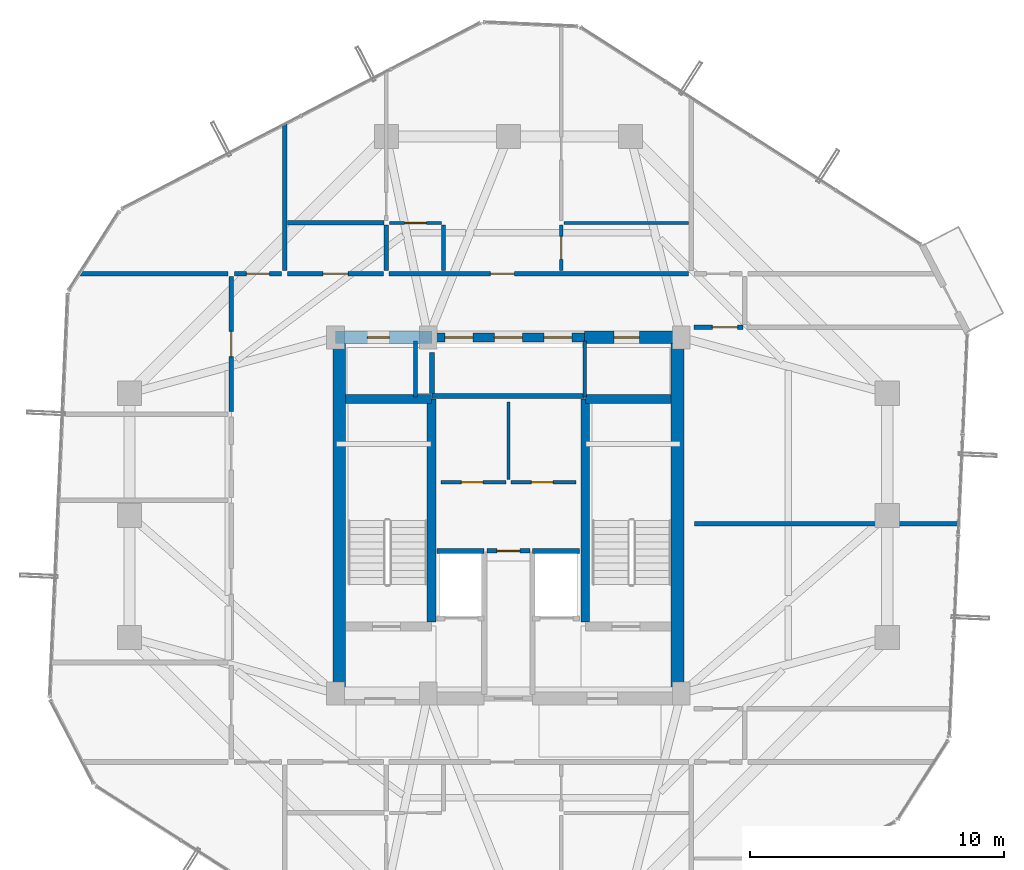
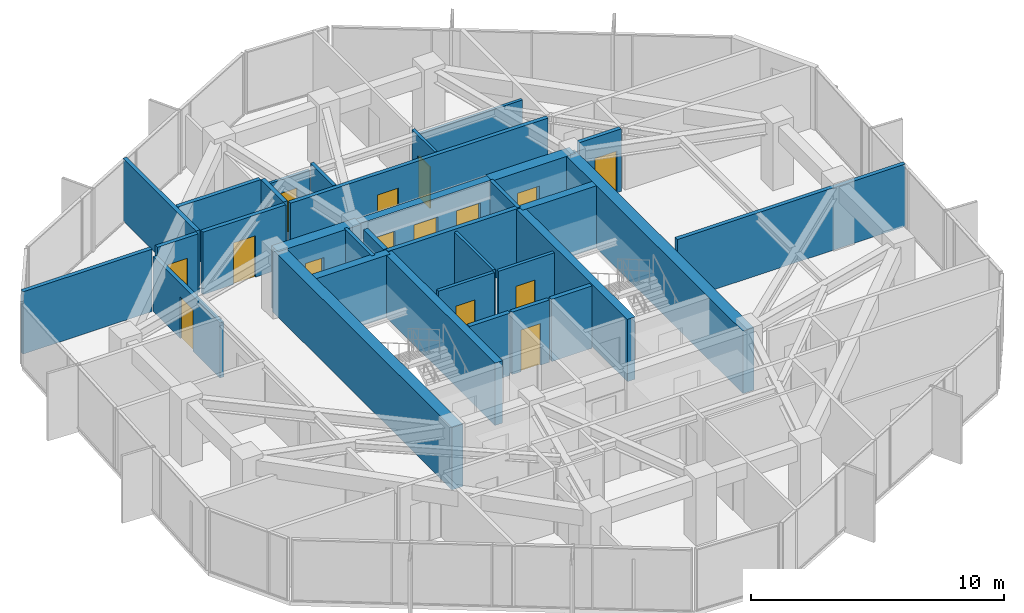
# One storey, part 26 of 29: 33 walls, 15 doors, 15 openings.
"""IFC4 building model written with IfcOpenShell, lengths in metres."""

from ifc_helpers import new_model, si_unit, direction, frame, frame_2d, origin, place, context, subcontext, project, spatial, rectangle, extrude, source, transform, mapped, material, layer, layer_set, type_object, element, fill, save


model = new_model("IFC4")

# Units and contexts
model_context = context("Model", 3, precision=1e-05, world=origin(), true_north=direction((0.0, 1.0)))
body_context = subcontext(model_context, "Body", "Model", "MODEL_VIEW")
ifc_project = project(units=[si_unit("LENGTHUNIT", "METRE"), si_unit("AREAUNIT", "SQUARE_METRE"), si_unit("VOLUMEUNIT", "CUBIC_METRE"), si_unit("PLANEANGLEUNIT", "RADIAN"), si_unit("MASSUNIT", "GRAM", prefix="KILO")], contexts=[model_context])

# Site, building, storey
site_placement = place(None, origin())
site = spatial("IfcSite", under=ifc_project, at=site_placement, CompositionType="ELEMENT")
building_placement = place(site_placement, origin())
building = spatial("IfcBuilding", under=site, at=building_placement, Name="Veraguas Prism Commons", CompositionType="ELEMENT")
storey_placement = place(building_placement, frame((0.0, 0.0, 215.64990234375)))
storey = spatial("IfcBuildingStorey", under=building, at=storey_placement, Name="L61", CompositionType="ELEMENT", Elevation=215.64990234375)

# Wall, openings, doors
ifc_material_1 = material(Name="Concrete C50/60", Category="concrete")
ifc_layer_1 = layer(ifc_material_1, 0.35009765625, Name="Core Internal Shear Wall Upper RC 350", Category="concrete")
ifc_layer_set_1 = layer_set([ifc_layer_1], Name="Concrete C50/60")
wall_type_1 = type_object("IfcWallType", Name="Core Internal Shear Wall Upper RC 350", PredefinedType="SHEAR", material=ifc_layer_set_1)
wall_1_placement = place(storey_placement, frame((21.0, 31.0, 0.0), z_axis=(0.0, 0.0, 1.0), x_axis=(1.0, 0.0, 0.0)))
wall_1 = element("IfcWall", 1, at=wall_1_placement, inside=storey, type_object=wall_type_1, Name="High-Rise Lift Bank Front Shear Wall L61", PredefinedType="SHEAR", context=body_context, shape_type="SweptSolid", body=[
    extrude(rectangle(XDim=6.0, YDim=0.35009765625, at=frame_2d((3.0, 0.0))), origin(), (0.0, 0.0, 1.0), 3.01513671875),
])
opening_1_placement = place(wall_1_placement, frame((0.5, 0.0, 0.0)))
opening_1 = element("IfcOpeningElement", 2, at=opening_1_placement, cuts=wall_1, Name="Opening LD-01", PredefinedType="OPENING", context=body_context, shape_type="SweptSolid", body=[
    extrude(rectangle(XDim=1.10009765625, YDim=2.080078125, at=frame_2d((0.550048828125, 1.0400390625))), frame((0.0, 0.18505859375, 0.0), z_axis=(0.0, -1.0, 0.0), x_axis=(1.0, 0.0, 0.0)), (0.0, 0.0, 1.0), 0.3701171875),
])
opening_2_placement = place(wall_1_placement, frame((2.449951171875, 0.0, 0.0)))
opening_2 = element("IfcOpeningElement", 3, at=opening_2_placement, cuts=wall_1, Name="Opening LD-01", PredefinedType="OPENING", context=body_context, shape_type="SweptSolid", body=[
    extrude(rectangle(XDim=1.10009765625, YDim=2.080078125, at=frame_2d((0.550048828125, 1.0400390625))), frame((0.0, 0.18505859375, 0.0), z_axis=(0.0, -1.0, 0.0), x_axis=(1.0, 0.0, 0.0)), (0.0, 0.0, 1.0), 0.3701171875),
])
opening_3_placement = place(wall_1_placement, frame((4.39990234375, 0.0, 0.0)))
opening_3 = element("IfcOpeningElement", 4, at=opening_3_placement, cuts=wall_1, Name="Opening LD-01", PredefinedType="OPENING", context=body_context, shape_type="SweptSolid", body=[
    extrude(rectangle(XDim=1.10009765625, YDim=2.080078125, at=frame_2d((0.550048828125, 1.0400390625))), frame((0.0, 0.18505859375, 0.0), z_axis=(0.0, -1.0, 0.0), x_axis=(1.0, 0.0, 0.0)), (0.0, 0.0, 1.0), 0.3701171875),
])
ifc_material_2 = material(Name="Stainless steel AISI 316", Category="steel")
door_type_1 = type_object("IfcDoorType", Name="Passenger Lift Sliding Landing Door 1100x2080", OperationType="NOTDEFINED", PredefinedType="DOOR", material=ifc_material_2)
shared_shape_1 = source(origin(), body_context, "Body", "SweptSolid", [
    extrude(rectangle(XDim=1.10009765625, YDim=2.080078125, at=frame_2d((0.550048828125, 1.0400390625))), frame((0.0, 0.02490234375, 0.0), z_axis=(0.0, -1.0, 0.0), x_axis=(1.0, 0.0, 0.0)), (0.0, 0.0, 1.0), 0.050048828125),
])
door_1_placement = place(opening_1_placement, origin())
door_1 = element("IfcDoor", 5, at=door_1_placement, inside=storey, type_object=door_type_1, Name="Sliding Landing Door PL-H1 L61", OperationType="SLIDING_TO_LEFT", OverallHeight=2.080078125, OverallWidth=1.10009765625, PredefinedType="DOOR", context=body_context, shape_type="MappedRepresentation", body=[
    mapped(shared_shape_1, transform((0.0, 0.0, 0.0), scale=1.0)),
])
fill(opening_1, door_1)
door_2_placement = place(opening_2_placement, origin())
door_2 = element("IfcDoor", 6, at=door_2_placement, inside=storey, type_object=door_type_1, Name="Sliding Landing Door PL-H2 L61", OperationType="SLIDING_TO_LEFT", OverallHeight=2.080078125, OverallWidth=1.10009765625, PredefinedType="DOOR", context=body_context, shape_type="MappedRepresentation", body=[
    mapped(shared_shape_1, transform((0.0, 0.0, 0.0), scale=1.0)),
])
fill(opening_2, door_2)
door_3_placement = place(opening_3_placement, origin())
door_3 = element("IfcDoor", 7, at=door_3_placement, inside=storey, type_object=door_type_1, Name="Sliding Landing Door PL-H3 L61", OperationType="SLIDING_TO_LEFT", OverallHeight=2.080078125, OverallWidth=1.10009765625, PredefinedType="DOOR", context=body_context, shape_type="MappedRepresentation", body=[
    mapped(shared_shape_1, transform((0.0, 0.0, 0.0), scale=1.0)),
])
fill(opening_3, door_3)

# Walls
for number, where, z_axis, x_axis, name in (
    (8, (20.97509765625, 19.800048828125, 0.0), (0.0, 0.0, 1.0), (0.0, 1.0, 0.0), "Stair ST-01 Inner Shear Wall L61"),
    (9, (27.02490234375, 19.800048828125, 0.0), (0.0, 0.0, 1.0), (0.0, 1.0, 0.0), "Stair ST-02 Inner Shear Wall L61"),
):
    element("IfcWall", number, at=place(storey_placement, frame(where, z_axis=z_axis, x_axis=x_axis)), inside=storey, type_object=wall_type_1, Name=name, PredefinedType="SHEAR", context=body_context, shape_type="SweptSolid", body=[
        extrude(rectangle(XDim=8.77490234375, YDim=0.35009765625, at=frame_2d((4.387451171875, 0.0))), origin(), (0.0, 0.0, 1.0), 3.01513671875),
    ])
for number, where, z_axis, x_axis, name in (
    (10, (17.60009765625, 28.574951171875, 0.0), (0.0, 0.0, 1.0), (1.0, 0.0, 0.0), "Stair ST-01 North Shear Wall L61"),
    (11, (27.02490234375, 28.574951171875, 0.0), (0.0, 0.0, 1.0), (1.0, 0.0, 0.0), "Stair ST-02 North Shear Wall L61"),
):
    element("IfcWall", number, at=place(storey_placement, frame(where, z_axis=z_axis, x_axis=x_axis)), inside=storey, type_object=wall_type_1, Name=name, PredefinedType="SHEAR", context=body_context, shape_type="SweptSolid", body=[
        extrude(rectangle(XDim=3.375, YDim=0.35009765625, at=frame_2d((1.6875, 0.0))), origin(), (0.0, 0.0, 1.0), 3.01513671875),
    ])
ifc_layer_2 = layer(ifc_material_1, 0.5, Name="Core Outer Shear Wall Upper RC 500", Category="concrete")
ifc_layer_set_2 = layer_set([ifc_layer_2], Name="Concrete C50/60")
wall_type_2 = type_object("IfcWallType", Name="Core Outer Shear Wall Upper RC 500", PredefinedType="SHEAR", material=ifc_layer_set_2)
for number, where, z_axis, x_axis, name in (
    (12, (17.35009765625, 16.800048828125, 0.0), (0.0, 0.0, 1.0), (0.0, 1.0, 0.0), "Central Core West Shear Wall L61"),
    (13, (30.64990234375, 16.800048828125, 0.0), (0.0, 0.0, 1.0), (0.0, 1.0, 0.0), "Central Core East Shear Wall L61"),
):
    element("IfcWall", number, at=place(storey_placement, frame(where, z_axis=z_axis, x_axis=x_axis)), inside=storey, type_object=wall_type_2, Name=name, PredefinedType="SHEAR", context=body_context, shape_type="SweptSolid", body=[
        extrude(rectangle(XDim=14.199951171875, YDim=0.5, at=frame_2d((7.10009765625, 0.0))), origin(), (0.0, 0.0, 1.0), 3.01513671875),
    ])

# Wall, opening, door
wall_2_placement = place(storey_placement, frame((17.199951171875, 31.0, 0.0), z_axis=(0.0, 0.0, 1.0), x_axis=(1.0, 0.0, 0.0)))
wall_2 = element("IfcWall", 14, at=wall_2_placement, inside=storey, type_object=wall_type_2, Name="Central Core North-West Shear Wall L61", PredefinedType="SHEAR", context=body_context, shape_type="SweptSolid", body=[
    extrude(rectangle(XDim=3.800048828125, YDim=0.5, at=frame_2d((1.89990234375, 0.0))), origin(), (0.0, 0.0, 1.0), 3.01513671875),
])
opening_4_placement = place(wall_2_placement, frame((1.25, 0.0, 0.0)))
opening_4 = element("IfcOpeningElement", 15, at=opening_4_placement, cuts=wall_2, Name="Opening DR-12", PredefinedType="OPENING", context=body_context, shape_type="SweptSolid", body=[
    extrude(rectangle(XDim=0.860107421875, YDim=2.010009765625, at=frame_2d((0.43017578125, 1.0048828125))), frame((0.0, 0.260009765625, 0.0), z_axis=(0.0, -1.0, 0.0), x_axis=(1.0, 0.0, 0.0)), (0.0, 0.0, 1.0), 0.52001953125),
])
ifc_material_3 = material(Name="Steel fire-rated door assembly", Category="steel")
door_type_2 = type_object("IfcDoorType", Name="Core WC Fire Door 860x2010", OperationType="NOTDEFINED", PredefinedType="DOOR", material=ifc_material_3)
shared_shape_2 = source(origin(), body_context, "Body", "SweptSolid", [
    extrude(rectangle(XDim=0.860107421875, YDim=2.010009765625, at=frame_2d((0.43017578125, 1.0048828125))), frame((0.0, 0.02490234375, 0.0), z_axis=(0.0, -1.0, 0.0), x_axis=(1.0, 0.0, 0.0)), (0.0, 0.0, 1.0), 0.050048828125),
])
door_4_placement = place(opening_4_placement, origin())
door_4 = element("IfcDoor", 16, at=door_4_placement, inside=storey, type_object=door_type_2, Name="Core NW Service Door L61", OperationType="SINGLE_SWING_RIGHT", OverallHeight=2.010009765625, OverallWidth=0.860107421875, PredefinedType="DOOR", context=body_context, shape_type="MappedRepresentation", body=[
    mapped(shared_shape_2, transform((0.0, 0.0, 0.0), scale=1.0)),
])
fill(opening_4, door_4)

wall_3_placement = place(storey_placement, frame((27.0, 31.0, 0.0), z_axis=(0.0, 0.0, 1.0), x_axis=(1.0, 0.0, 0.0)))
wall_3 = element("IfcWall", 17, at=wall_3_placement, inside=storey, type_object=wall_type_2, Name="Central Core North-East Shear Wall L61", PredefinedType="SHEAR", context=body_context, shape_type="SweptSolid", body=[
    extrude(rectangle(XDim=3.800048828125, YDim=0.5, at=frame_2d((1.89990234375, 0.0))), origin(), (0.0, 0.0, 1.0), 3.01513671875),
])
opening_5_placement = place(wall_3_placement, frame((1.14990234375, 0.0, 0.0)))
opening_5 = element("IfcOpeningElement", 18, at=opening_5_placement, cuts=wall_3, Name="Opening DR-13", PredefinedType="OPENING", context=body_context, shape_type="SweptSolid", body=[
    extrude(rectangle(XDim=1.0, YDim=2.010009765625, at=frame_2d((0.5, 1.0048828125))), frame((0.0, 0.260009765625, 0.0), z_axis=(0.0, -1.0, 0.0), x_axis=(1.0, 0.0, 0.0)), (0.0, 0.0, 1.0), 0.52001953125),
])
door_type_3 = type_object("IfcDoorType", Name="Core Accessible WC and Clinic Fire Door 1000x2010", OperationType="NOTDEFINED", PredefinedType="DOOR", material=ifc_material_3)
shared_shape_3 = source(origin(), body_context, "Body", "SweptSolid", [
    extrude(rectangle(XDim=1.0, YDim=2.010009765625, at=frame_2d((0.5, 1.0048828125))), frame((0.0, 0.02490234375, 0.0), z_axis=(0.0, -1.0, 0.0), x_axis=(1.0, 0.0, 0.0)), (0.0, 0.0, 1.0), 0.050048828125),
])
door_5_placement = place(opening_5_placement, origin())
door_5 = element("IfcDoor", 19, at=door_5_placement, inside=storey, type_object=door_type_3, Name="Core NE Pantry Door L61", OperationType="SINGLE_SWING_LEFT", OverallHeight=2.010009765625, OverallWidth=1.0, PredefinedType="DOOR", context=body_context, shape_type="MappedRepresentation", body=[
    mapped(shared_shape_3, transform((0.0, 0.0, 0.0), scale=1.0)),
])
fill(opening_5, door_5)

ifc_material_4 = material(Name="Autoclaved aerated masonry block 10 MPa", Category="masonry")
ifc_layer_3 = layer(ifc_material_4, 0.179931640625, Name="Corridor and Inter-Tenancy Partition 180", Category="masonry")
ifc_layer_set_3 = layer_set([ifc_layer_3], Name="Autoclaved aerated masonry block 10 MPa")
wall_type_3 = type_object("IfcWallType", Name="Corridor and Inter-Tenancy Partition 180", PredefinedType="PARTITIONING", material=ifc_layer_set_3)
wall_4_placement = place(storey_placement, frame((23.14990234375, 22.60009765625, 0.0), z_axis=(0.0, 0.0, 1.0), x_axis=(1.0, 0.0, 0.0)))
wall_4 = element("IfcWall", 20, at=wall_4_placement, inside=storey, type_object=wall_type_3, Name="Core Suite Entry Wall L61", PredefinedType="PARTITIONING", context=body_context, shape_type="SweptSolid", body=[
    extrude(rectangle(XDim=1.7001953125, YDim=0.179931640625, at=frame_2d((0.85009765625, 0.0))), origin(), (0.0, 0.0, 1.0), 3.01513671875),
])
opening_6_placement = place(wall_4_placement, frame((0.39990234375, 0.0, 0.0)))
opening_6 = element("IfcOpeningElement", 21, at=opening_6_placement, cuts=wall_4, Name="Opening DR-14", PredefinedType="OPENING", context=body_context, shape_type="SweptSolid", body=[
    extrude(rectangle(XDim=0.89990234375, YDim=2.010009765625, at=frame_2d((0.449951171875, 1.0048828125))), frame((0.0, 0.099853515625, 0.0), z_axis=(0.0, -1.0, 0.0), x_axis=(1.0, 0.0, 0.0)), (0.0, 0.0, 1.0), 0.199951171875),
])
door_type_4 = type_object("IfcDoorType", Name="Core Service Room Fire Door 900x2010", OperationType="NOTDEFINED", PredefinedType="DOOR", material=ifc_material_3)
shared_shape_4 = source(origin(), body_context, "Body", "SweptSolid", [
    extrude(rectangle(XDim=0.89990234375, YDim=2.010009765625, at=frame_2d((0.449951171875, 1.0048828125))), frame((0.0, 0.02490234375, 0.0), z_axis=(0.0, -1.0, 0.0), x_axis=(1.0, 0.0, 0.0)), (0.0, 0.0, 1.0), 0.050048828125),
])
door_6_placement = place(opening_6_placement, origin())
door_6 = element("IfcDoor", 22, at=door_6_placement, inside=storey, type_object=door_type_4, Name="Core Suite Entry Door L61", OperationType="SINGLE_SWING_RIGHT", OverallHeight=2.010009765625, OverallWidth=0.89990234375, PredefinedType="DOOR", context=body_context, shape_type="MappedRepresentation", body=[
    mapped(shared_shape_4, transform((0.0, 0.0, 0.0), scale=1.0)),
])
fill(opening_6, door_6)

# Wall
wall_5_placement = place(storey_placement, frame((15.199951171875, 33.6201171875, 0.0), z_axis=(0.0, 0.0, 1.0), x_axis=(0.0, 1.0, 0.0)))
element("IfcWall", 23, at=wall_5_placement, inside=storey, type_object=wall_type_3, Name="WL-L61-PT013", PredefinedType="PARTITIONING", context=body_context, shape_type="SweptSolid", body=[
    extrude(rectangle(XDim=5.7998046875, YDim=0.179931640625, at=frame_2d((2.89990234375, 0.0))), origin(), (0.0, 0.0, 1.0), 3.01513671875),
])

# Wall, opening, door
wall_6_placement = place(storey_placement, frame((15.31005859375, 33.5, 0.0), z_axis=(0.0, 0.0, 1.0), x_axis=(1.0, 0.0, 0.0)))
wall_6 = element("IfcWall", 24, at=wall_6_placement, inside=storey, type_object=wall_type_3, Name="WL-L61-PT015", PredefinedType="PARTITIONING", context=body_context, shape_type="SweptSolid", body=[
    extrude(rectangle(XDim=3.780029296875, YDim=0.179931640625, at=frame_2d((1.89013671875, 0.0))), origin(), (0.0, 0.0, 1.0), 3.01513671875),
])
opening_7_placement = place(wall_6_placement, frame((1.389892578125, 0.0, 0.0)))
opening_7 = element("IfcOpeningElement", 25, at=opening_7_placement, cuts=wall_6, Name="Opening DR-13", PredefinedType="OPENING", context=body_context, shape_type="SweptSolid", body=[
    extrude(rectangle(XDim=1.0, YDim=2.010009765625, at=frame_2d((0.5, 1.0048828125))), frame((0.0, 0.099853515625, 0.0), z_axis=(0.0, -1.0, 0.0), x_axis=(1.0, 0.0, 0.0)), (0.0, 0.0, 1.0), 0.199951171875),
])
door_7_placement = place(opening_7_placement, origin())
door_7 = element("IfcDoor", 26, at=door_7_placement, inside=storey, type_object=door_type_3, Name="Residents Study Alcove 61B Door", OperationType="SINGLE_SWING_LEFT", OverallHeight=2.010009765625, OverallWidth=1.0, PredefinedType="DOOR", context=body_context, shape_type="MappedRepresentation", body=[
    mapped(shared_shape_3, transform((0.0, 0.0, 0.0), scale=1.0)),
])
fill(opening_7, door_7)

wall_7_placement = place(storey_placement, frame((19.31005859375, 33.5, 0.0), z_axis=(0.0, 0.0, 1.0), x_axis=(1.0, 0.0, 0.0)))
wall_7 = element("IfcWall", 27, at=wall_7_placement, inside=storey, type_object=wall_type_3, Name="WL-L61-PT016", PredefinedType="PARTITIONING", context=body_context, shape_type="SweptSolid", body=[
    extrude(rectangle(XDim=11.780029296875, YDim=0.179931640625, at=frame_2d((5.89013671875, 0.0))), origin(), (0.0, 0.0, 1.0), 3.01513671875),
])
opening_8_placement = place(wall_7_placement, frame((3.97998046875, 0.0, 0.0)))
opening_8 = element("IfcOpeningElement", 28, at=opening_8_placement, cuts=wall_7, Name="Opening DR-01", PredefinedType="OPENING", context=body_context, shape_type="SweptSolid", body=[
    extrude(rectangle(XDim=0.949951171875, YDim=2.02001953125, at=frame_2d((0.47509765625, 1.010009765625))), frame((0.0, 0.099853515625, 0.0), z_axis=(0.0, -1.0, 0.0), x_axis=(1.0, 0.0, 0.0)), (0.0, 0.0, 1.0), 0.199951171875),
])
ifc_material_5 = material(Name="Anodised aluminium EN AW-6063 T6", Category="aluminium")
door_type_5 = type_object("IfcDoorType", Name="Apartment Entrance Fire Door 950x2020", OperationType="NOTDEFINED", PredefinedType="DOOR", material=ifc_material_5)
shared_shape_5 = source(origin(), body_context, "Body", "SweptSolid", [
    extrude(rectangle(XDim=0.949951171875, YDim=2.02001953125, at=frame_2d((0.47509765625, 1.010009765625))), frame((0.0, 0.02490234375, 0.0), z_axis=(0.0, -1.0, 0.0), x_axis=(1.0, 0.0, 0.0)), (0.0, 0.0, 1.0), 0.050048828125),
])
door_8_placement = place(opening_8_placement, origin())
door_8 = element("IfcDoor", 29, at=door_8_placement, inside=storey, type_object=door_type_5, Name="Flat 61B Entrance Door", OperationType="SINGLE_SWING_RIGHT", OverallHeight=2.02001953125, OverallWidth=0.949951171875, PredefinedType="DOOR", context=body_context, shape_type="MappedRepresentation", body=[
    mapped(shared_shape_5, transform((0.0, 0.0, 0.0), scale=1.0)),
])
fill(opening_8, door_8)

# Walls
wall_8_placement = place(storey_placement, frame((15.320068359375, 35.5, 0.0), z_axis=(0.0, 0.0, 1.0), x_axis=(1.0, 0.0, 0.0)))
element("IfcWall", 30, at=wall_8_placement, inside=storey, type_object=wall_type_3, Name="WL-L61-PT017", PredefinedType="PARTITIONING", context=body_context, shape_type="SweptSolid", body=[
    extrude(rectangle(XDim=3.780029296875, YDim=0.179931640625, at=frame_2d((1.89013671875, 0.0))), origin(), (0.0, 0.0, 1.0), 3.01513671875),
])
wall_9_placement = place(storey_placement, frame((19.199951171875, 33.6201171875, 0.0), z_axis=(0.0, 0.0, 1.0), x_axis=(0.0, 1.0, 0.0)))
element("IfcWall", 31, at=wall_9_placement, inside=storey, type_object=wall_type_3, Name="WL-L61-PT018", PredefinedType="PARTITIONING", context=body_context, shape_type="SweptSolid", body=[
    extrude(rectangle(XDim=1.7998046875, YDim=0.179931640625, at=frame_2d((0.89990234375, 0.0))), origin(), (0.0, 0.0, 1.0), 3.01513671875),
])
wall_10_placement = place(storey_placement, frame((12.97998046875, 33.5, 0.0), z_axis=(0.0, 0.0, 1.0), x_axis=(-1.0, 0.0, 0.0)))
element("IfcWall", 32, at=wall_10_placement, inside=storey, type_object=wall_type_3, Name="WL-L61-PT026", PredefinedType="PARTITIONING", context=body_context, shape_type="SweptSolid", body=[
    extrude(rectangle(XDim=5.899658203125, YDim=0.179931640625, at=frame_2d((2.94970703125, 0.0))), origin(), (0.0, 0.0, 1.0), 3.01513671875),
])

# Wall, opening, door
wall_11_placement = place(storey_placement, frame((13.10009765625, 28.087890625, 0.0), z_axis=(0.0, 0.0, 1.0), x_axis=(0.0, 1.0, 0.0)))
wall_11 = element("IfcWall", 33, at=wall_11_placement, inside=storey, type_object=wall_type_3, Name="WL-L61-PT032", PredefinedType="PARTITIONING", context=body_context, shape_type="SweptSolid", body=[
    extrude(rectangle(XDim=5.302001953125, YDim=0.179931640625, at=frame_2d((2.65087890625, 0.0))), origin(), (0.0, 0.0, 1.0), 2.662109375),
])
opening_9_placement = place(wall_11_placement, frame((2.15087890625, 0.0, 0.0)))
opening_9 = element("IfcOpeningElement", 34, at=opening_9_placement, cuts=wall_11, Name="Opening DR-13", PredefinedType="OPENING", context=body_context, shape_type="SweptSolid", body=[
    extrude(rectangle(XDim=1.0, YDim=2.010009765625, at=frame_2d((0.5, 1.0048828125))), frame((0.0, 0.099853515625, 0.0), z_axis=(0.0, -1.0, 0.0), x_axis=(1.0, 0.0, 0.0)), (0.0, 0.0, 1.0), 0.199951171875),
])
door_9_placement = place(opening_9_placement, origin())
door_9 = element("IfcDoor", 35, at=door_9_placement, inside=storey, type_object=door_type_3, Name="Co-op Store W Door", OperationType="SINGLE_SWING_RIGHT", OverallHeight=2.010009765625, OverallWidth=1.0, PredefinedType="DOOR", context=body_context, shape_type="MappedRepresentation", body=[
    mapped(shared_shape_3, transform((0.0, 0.0, 0.0), scale=1.0)),
])
fill(opening_9, door_9)

# Wall
wall_12_placement = place(storey_placement, frame((31.320068359375, 23.675048828125, 0.0), z_axis=(0.0, 0.0, 1.0), x_axis=(1.0, 0.0, 0.0)))
element("IfcWall", 36, at=wall_12_placement, inside=storey, type_object=wall_type_3, Name="WL-L61-PT034", PredefinedType="PARTITIONING", context=body_context, shape_type="SweptSolid", body=[
    extrude(rectangle(XDim=10.42333984375, YDim=0.179931640625, at=frame_2d((5.211669921875, 0.0))), origin(), (0.0, 0.0, 1.0), 3.01513671875),
])

# Wall, opening, door
wall_13_placement = place(storey_placement, frame((31.300048828125, 31.39990234375, 0.0), z_axis=(0.0, 0.0, 1.0), x_axis=(1.0, 0.0, 0.0)))
wall_13 = element("IfcWall", 37, at=wall_13_placement, inside=storey, type_object=wall_type_3, Name="WL-L61-PT039", PredefinedType="PARTITIONING", context=body_context, shape_type="SweptSolid", body=[
    extrude(rectangle(XDim=1.919921875, YDim=0.179931640625, at=frame_2d((0.9599609375, 0.0))), origin(), (0.0, 0.0, 1.0), 3.01513671875),
])
opening_10_placement = place(wall_13_placement, frame((0.719970703125, 0.0, 0.0)))
opening_10 = element("IfcOpeningElement", 38, at=opening_10_placement, cuts=wall_13, Name="Opening DR-13", PredefinedType="OPENING", context=body_context, shape_type="SweptSolid", body=[
    extrude(rectangle(XDim=1.0, YDim=2.010009765625, at=frame_2d((0.5, 1.0048828125))), frame((0.0, 0.099853515625, 0.0), z_axis=(0.0, -1.0, 0.0), x_axis=(1.0, 0.0, 0.0)), (0.0, 0.0, 1.0), 0.199951171875),
])
door_10_placement = place(opening_10_placement, origin())
door_10 = element("IfcDoor", 39, at=door_10_placement, inside=storey, type_object=door_type_3, Name="Study Salon Door L61", OperationType="SINGLE_SWING_RIGHT", OverallHeight=2.010009765625, OverallWidth=1.0, PredefinedType="DOOR", context=body_context, shape_type="MappedRepresentation", body=[
    mapped(shared_shape_3, transform((0.0, 0.0, 0.0), scale=1.0)),
])
fill(opening_10, door_10)

wall_14_placement = place(storey_placement, frame((13.219970703125, 33.5, 0.0), z_axis=(0.0, 0.0, 1.0), x_axis=(1.0, 0.0, 0.0)))
wall_14 = element("IfcWall", 40, at=wall_14_placement, inside=storey, type_object=wall_type_3, Name="WL-L61-PT045", PredefinedType="PARTITIONING", context=body_context, shape_type="SweptSolid", body=[
    extrude(rectangle(XDim=1.860107421875, YDim=0.179931640625, at=frame_2d((0.93017578125, 0.0))), origin(), (0.0, 0.0, 1.0), 3.01513671875),
])
opening_11_placement = place(wall_14_placement, frame((0.47998046875, 0.0, 0.0)))
opening_11 = element("IfcOpeningElement", 41, at=opening_11_placement, cuts=wall_14, Name="Opening DR-14", PredefinedType="OPENING", context=body_context, shape_type="SweptSolid", body=[
    extrude(rectangle(XDim=0.89990234375, YDim=2.010009765625, at=frame_2d((0.449951171875, 1.0048828125))), frame((0.0, 0.099853515625, 0.0), z_axis=(0.0, -1.0, 0.0), x_axis=(1.0, 0.0, 0.0)), (0.0, 0.0, 1.0), 0.199951171875),
])
door_11_placement = place(opening_11_placement, origin())
door_11 = element("IfcDoor", 42, at=door_11_placement, inside=storey, type_object=door_type_4, Name="Community Co-op Kitchen NW Door", OperationType="SINGLE_SWING_RIGHT", OverallHeight=2.010009765625, OverallWidth=0.89990234375, PredefinedType="DOOR", context=body_context, shape_type="MappedRepresentation", body=[
    mapped(shared_shape_4, transform((0.0, 0.0, 0.0), scale=1.0)),
])
fill(opening_11, door_11)

# Wall
ifc_material_6 = material(Name="Lightweight acoustic gypsum board")
ifc_layer_4 = layer(ifc_material_6, 0.125, Name="Internal Apartment Room Partition 125")
ifc_layer_set_4 = layer_set([ifc_layer_4], Name="Lightweight acoustic gypsum board")
wall_type_4 = type_object("IfcWallType", Name="Internal Apartment Room Partition 125", PredefinedType="PARTITIONING", material=ifc_layer_set_4)
wall_15_placement = place(storey_placement, frame((24.0, 25.419921875, 0.0), z_axis=(0.0, 0.0, 1.0), x_axis=(0.0, 1.0, 0.0)))
element("IfcWall", 43, at=wall_15_placement, inside=storey, type_object=wall_type_4, Name="WL-L61-FRWVM", PredefinedType="PARTITIONING", context=body_context, shape_type="SweptSolid", body=[
    extrude(rectangle(XDim=3.030029296875, YDim=0.125, at=frame_2d((1.51513671875, 0.0))), origin(), (0.0, 0.0, 1.0), 3.01513671875),
])

# Wall, opening, door
wall_16_placement = place(storey_placement, frame((19.320068359375, 35.5, 0.0), z_axis=(0.0, 0.0, 1.0), x_axis=(1.0, 0.0, 0.0)))
wall_16 = element("IfcWall", 44, at=wall_16_placement, inside=storey, type_object=wall_type_4, Name="WL-L61-PT021", PredefinedType="PARTITIONING", context=body_context, shape_type="SweptSolid", body=[
    extrude(rectangle(XDim=2.050048828125, YDim=0.125, at=frame_2d((1.02490234375, 0.0))), origin(), (0.0, 0.0, 1.0), 2.662109375),
])
opening_12_placement = place(wall_16_placement, frame((0.594970703125, 0.0, 0.0)))
opening_12 = element("IfcOpeningElement", 45, at=opening_12_placement, cuts=wall_16, Name="Opening DR-03", PredefinedType="OPENING", context=body_context, shape_type="SweptSolid", body=[
    extrude(rectangle(XDim=0.860107421875, YDim=2.010009765625, at=frame_2d((0.43017578125, 1.0048828125))), frame((0.0, 0.072509765625, 0.0), z_axis=(0.0, -1.0, 0.0), x_axis=(1.0, 0.0, 0.0)), (0.0, 0.0, 1.0), 0.14501953125),
])
ifc_material_7 = material(Name="Timber moisture-resistant leaf", Category="wood")
door_type_6 = type_object("IfcDoorType", Name="Internal Bathroom Door 860x2010", OperationType="NOTDEFINED", PredefinedType="DOOR", material=ifc_material_7)
door_12_placement = place(opening_12_placement, origin())
door_12 = element("IfcDoor", 46, at=door_12_placement, inside=storey, type_object=door_type_6, Name="Flat 61B Bathroom Door", OperationType="SINGLE_SWING_RIGHT", OverallHeight=2.010009765625, OverallWidth=0.860107421875, PredefinedType="DOOR", context=body_context, shape_type="MappedRepresentation", body=[
    mapped(shared_shape_2, transform((0.0, 0.0, 0.0), scale=1.0)),
])
fill(opening_12, door_12)

wall_17_placement = place(storey_placement, frame((26.080078125, 33.6201171875, 0.0), z_axis=(0.0, 0.0, 1.0), x_axis=(0.0, 1.0, 0.0)))
wall_17 = element("IfcWall", 47, at=wall_17_placement, inside=storey, type_object=wall_type_4, Name="WL-L61-PT022", PredefinedType="PARTITIONING", context=body_context, shape_type="SweptSolid", body=[
    extrude(rectangle(XDim=1.7998046875, YDim=0.125, at=frame_2d((0.89990234375, 0.0))), origin(), (0.0, 0.0, 1.0), 3.01513671875),
])
opening_13_placement = place(wall_17_placement, frame((0.449951171875, 0.0, 0.0)))
opening_13 = element("IfcOpeningElement", 48, at=opening_13_placement, cuts=wall_17, Name="Opening DR-02", PredefinedType="OPENING", context=body_context, shape_type="SweptSolid", body=[
    extrude(rectangle(XDim=0.89990234375, YDim=2.010009765625, at=frame_2d((0.449951171875, 1.0048828125))), frame((0.0, 0.072509765625, 0.0), z_axis=(0.0, -1.0, 0.0), x_axis=(1.0, 0.0, 0.0)), (0.0, 0.0, 1.0), 0.14501953125),
])
ifc_material_8 = material(Name="Timber solid core hardwood", Category="wood")
door_type_7 = type_object("IfcDoorType", Name="Internal Habitable Room Door 900x2010", OperationType="NOTDEFINED", PredefinedType="DOOR", material=ifc_material_8)
door_13_placement = place(opening_13_placement, origin())
door_13 = element("IfcDoor", 49, at=door_13_placement, inside=storey, type_object=door_type_7, Name="Flat 61B Kitchen Door", OperationType="SINGLE_SWING_LEFT", OverallHeight=2.010009765625, OverallWidth=0.89990234375, PredefinedType="DOOR", context=body_context, shape_type="MappedRepresentation", body=[
    mapped(shared_shape_4, transform((0.0, 0.0, 0.0), scale=1.0)),
])
fill(opening_13, door_13)

# Walls
wall_18_placement = place(storey_placement, frame((26.179931640625, 35.5, 0.0), z_axis=(0.0, 0.0, 1.0), x_axis=(1.0, 0.0, 0.0)))
element("IfcWall", 50, at=wall_18_placement, inside=storey, type_object=wall_type_4, Name="WL-L61-PT023", PredefinedType="PARTITIONING", context=body_context, shape_type="SweptSolid", body=[
    extrude(rectangle(XDim=4.900146484375, YDim=0.125, at=frame_2d((2.4501953125, 0.0))), origin(), (0.0, 0.0, 1.0), 2.662109375),
])
ifc_layer_5 = layer(ifc_material_4, 0.199951171875, Name="Rated Shaft and Lobby Block Wall 200", Category="masonry")
ifc_layer_set_5 = layer_set([ifc_layer_5], Name="Autoclaved aerated masonry block 10 MPa")
wall_type_5 = type_object("IfcWallType", Name="Rated Shaft and Lobby Block Wall 200", PredefinedType="SOLIDWALL", material=ifc_layer_set_5)
for number, where, z_axis, x_axis, name in (
    (51, (21.199951171875, 22.60009765625, 0.0), (0.0, 0.0, 1.0), (1.0, 0.0, 0.0), "Firefighting Lift FFL-1 Rear Wall L61"),
    (52, (24.949951171875, 22.60009765625, 0.0), (0.0, 0.0, 1.0), (1.0, 0.0, 0.0), "Firefighting Lift FFL-2 Rear Wall L61"),
):
    element("IfcWall", number, at=place(storey_placement, frame(where, z_axis=z_axis, x_axis=x_axis)), inside=storey, type_object=wall_type_5, Name=name, PredefinedType="SOLIDWALL", context=body_context, shape_type="SweptSolid", body=[
        extrude(rectangle(XDim=1.85009765625, YDim=0.199951171875, at=frame_2d((0.925048828125, 0.0))), origin(), (0.0, 0.0, 1.0), 3.01513671875),
    ])
wall_19_placement = place(storey_placement, frame((21.0, 28.699951171875, 0.0), z_axis=(0.0, 0.0, 1.0), x_axis=(1.0, 0.0, 0.0)))
element("IfcWall", 53, at=wall_19_placement, inside=storey, type_object=wall_type_5, Name="High-Rise Lift Bank Rear Shaft Wall L61", PredefinedType="SOLIDWALL", context=body_context, shape_type="SweptSolid", body=[
    extrude(rectangle(XDim=6.0, YDim=0.199951171875, at=frame_2d((3.0, 0.0))), origin(), (0.0, 0.0, 1.0), 3.01513671875),
])
wall_20_placement = place(storey_placement, frame((21.0, 28.800048828125, 0.0), z_axis=(0.0, 0.0, 1.0), x_axis=(0.0, 1.0, 0.0)))
element("IfcWall", 54, at=wall_20_placement, inside=storey, type_object=wall_type_5, Name="High-Rise Lift Bank West Shaft Wall L61", PredefinedType="SOLIDWALL", context=body_context, shape_type="SweptSolid", body=[
    extrude(rectangle(XDim=1.599853515625, YDim=0.199951171875, at=frame_2d((0.7998046875, 0.0))), origin(), (0.0, 0.0, 1.0), 3.01513671875),
])
ifc_layer_6 = layer(ifc_material_6, 0.14990234375, Name="Wet Room and Clinic Acoustic Partition 150")
ifc_layer_set_6 = layer_set([ifc_layer_6], Name="Lightweight acoustic gypsum board")
wall_type_6 = type_object("IfcWallType", Name="Wet Room and Clinic Acoustic Partition 150", PredefinedType="PARTITIONING", material=ifc_layer_set_6)
for number, where, z_axis, x_axis, name in (
    (55, (20.35009765625, 28.64990234375, 0.0), (0.0, 0.0, 1.0), (0.0, 1.0, 0.0), "Core NW Service Inner Wall L61"),
    (56, (27.0, 28.64990234375, 0.0), (0.0, 0.0, 1.0), (0.0, 1.0, 0.0), "Core NE Service Inner Wall L61"),
):
    element("IfcWall", number, at=place(storey_placement, frame(where, z_axis=z_axis, x_axis=x_axis)), inside=storey, type_object=wall_type_6, Name=name, PredefinedType="PARTITIONING", context=body_context, shape_type="SweptSolid", body=[
        extrude(rectangle(XDim=2.2001953125, YDim=0.14990234375, at=frame_2d((1.10009765625, 0.0))), origin(), (0.0, 0.0, 1.0), 3.01513671875),
    ])

# Wall, opening, door
wall_21_placement = place(storey_placement, frame((21.35009765625, 25.300048828125, 0.0), z_axis=(0.0, 0.0, 1.0), x_axis=(1.0, 0.0, 0.0)))
wall_21 = element("IfcWall", 57, at=wall_21_placement, inside=storey, type_object=wall_type_6, Name="WL-L61-FRWH1", PredefinedType="PARTITIONING", context=body_context, shape_type="SweptSolid", body=[
    extrude(rectangle(XDim=2.5498046875, YDim=0.14990234375, at=frame_2d((1.27490234375, 0.0))), origin(), (0.0, 0.0, 1.0), 3.01513671875),
])
opening_14_placement = place(wall_21_placement, frame((0.800048828125, 0.0, 0.0)))
opening_14 = element("IfcOpeningElement", 58, at=opening_14_placement, cuts=wall_21, Name="Opening DR-12", PredefinedType="OPENING", context=body_context, shape_type="SweptSolid", body=[
    extrude(rectangle(XDim=0.860107421875, YDim=2.010009765625, at=frame_2d((0.43017578125, 1.0048828125))), frame((0.0, 0.0849609375, 0.0), z_axis=(0.0, -1.0, 0.0), x_axis=(1.0, 0.0, 0.0)), (0.0, 0.0, 1.0), 0.169921875),
])
door_14_placement = place(opening_14_placement, origin())
door_14 = element("IfcDoor", 59, at=door_14_placement, inside=storey, type_object=door_type_2, Name="Quiet Study Door L61", OperationType="SINGLE_SWING_LEFT", OverallHeight=2.010009765625, OverallWidth=0.860107421875, PredefinedType="DOOR", context=body_context, shape_type="MappedRepresentation", body=[
    mapped(shared_shape_2, transform((0.0, 0.0, 0.0), scale=1.0)),
])
fill(opening_14, door_14)

wall_22_placement = place(storey_placement, frame((24.10009765625, 25.300048828125, 0.0), z_axis=(0.0, 0.0, 1.0), x_axis=(1.0, 0.0, 0.0)))
wall_22 = element("IfcWall", 60, at=wall_22_placement, inside=storey, type_object=wall_type_6, Name="WL-L61-FRWH2", PredefinedType="PARTITIONING", context=body_context, shape_type="SweptSolid", body=[
    extrude(rectangle(XDim=2.5498046875, YDim=0.14990234375, at=frame_2d((1.27490234375, 0.0))), origin(), (0.0, 0.0, 1.0), 3.01513671875),
])
opening_15_placement = place(wall_22_placement, frame((0.800048828125, 0.0, 0.0)))
opening_15 = element("IfcOpeningElement", 61, at=opening_15_placement, cuts=wall_22, Name="Opening DR-12", PredefinedType="OPENING", context=body_context, shape_type="SweptSolid", body=[
    extrude(rectangle(XDim=0.860107421875, YDim=2.010009765625, at=frame_2d((0.43017578125, 1.0048828125))), frame((0.0, 0.0849609375, 0.0), z_axis=(0.0, -1.0, 0.0), x_axis=(1.0, 0.0, 0.0)), (0.0, 0.0, 1.0), 0.169921875),
])
door_15_placement = place(opening_15_placement, origin())
door_15 = element("IfcDoor", 62, at=door_15_placement, inside=storey, type_object=door_type_2, Name="Housekeeping Store Door L61", OperationType="SINGLE_SWING_RIGHT", OverallHeight=2.010009765625, OverallWidth=0.860107421875, PredefinedType="DOOR", context=body_context, shape_type="MappedRepresentation", body=[
    mapped(shared_shape_2, transform((0.0, 0.0, 0.0), scale=1.0)),
])
fill(opening_15, door_15)

# Wall
wall_23_placement = place(storey_placement, frame((21.449951171875, 33.6201171875, 0.0), z_axis=(0.0, 0.0, 1.0), x_axis=(0.0, 1.0, 0.0)))
element("IfcWall", 63, at=wall_23_placement, inside=storey, type_object=wall_type_6, Name="WL-L61-PT020", PredefinedType="PARTITIONING", context=body_context, shape_type="SweptSolid", body=[
    extrude(rectangle(XDim=1.7998046875, YDim=0.14990234375, at=frame_2d((0.89990234375, 0.0))), origin(), (0.0, 0.0, 1.0), 3.01513671875),
])

save(model, "model.ifc")
